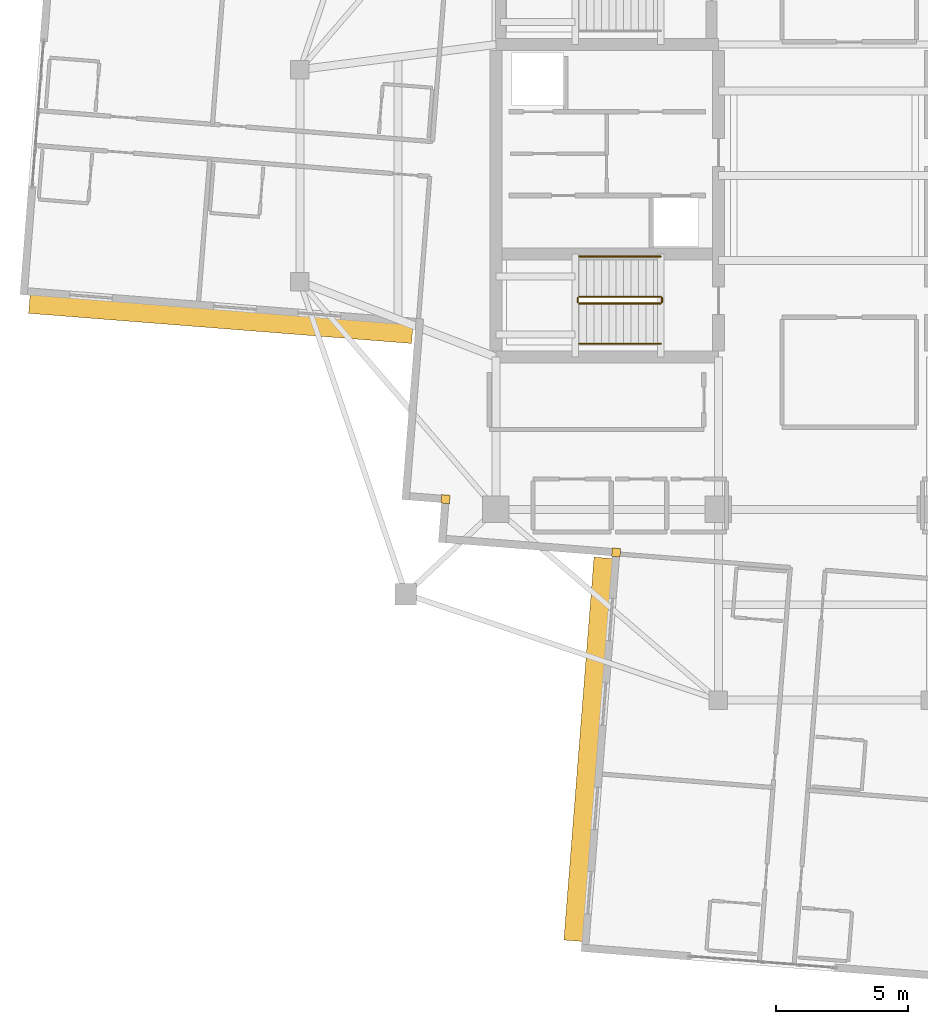
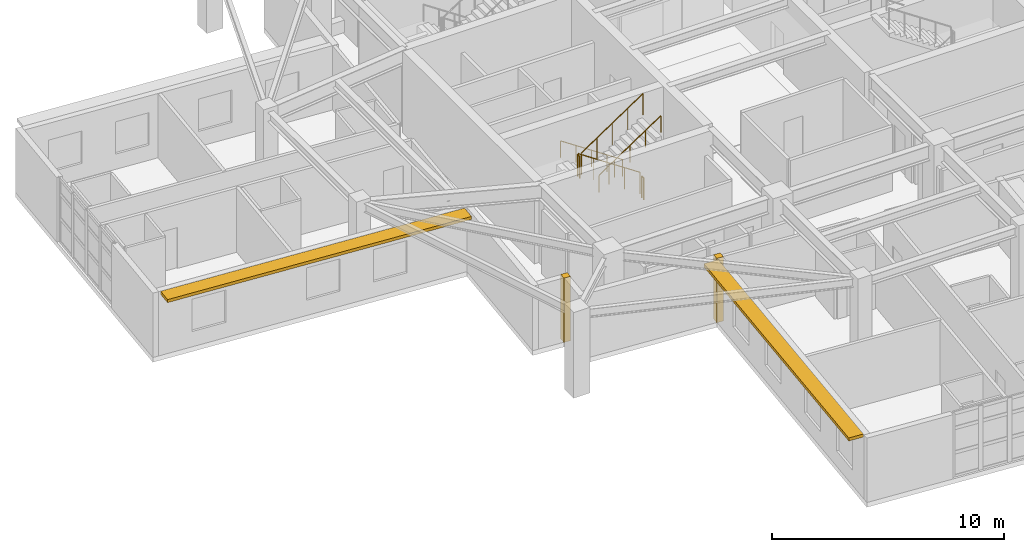
# One storey, part 19 of 23: 6 railings, 2 coverings, 2 shading devices.
"""IFC4 building model written with IfcOpenShell, lengths in metres."""

from ifc_helpers import new_model, si_unit, direction, frame, origin, origin_2d, place, context, subcontext, project, spatial, rectangle, circle, extrude, material, layer, layer_set, type_object, element, save


model = new_model("IFC4")

# Units and contexts
model_context = context("Model", 3, precision=1e-05, world=origin(), true_north=direction((0.0, 1.0)))
body_context = subcontext(model_context, "Body", "Model", "MODEL_VIEW")
ifc_project = project(units=[si_unit("LENGTHUNIT", "METRE"), si_unit("AREAUNIT", "SQUARE_METRE"), si_unit("VOLUMEUNIT", "CUBIC_METRE"), si_unit("PLANEANGLEUNIT", "RADIAN"), si_unit("MASSUNIT", "GRAM", prefix="KILO")], contexts=[model_context])

# Site, building, storey
site_placement = place(None, origin())
site = spatial("IfcSite", under=ifc_project, at=site_placement, CompositionType="ELEMENT")
building_placement = place(site_placement, origin())
building = spatial("IfcBuilding", under=site, at=building_placement, Name="Qingluan Cross Belvedere", CompositionType="ELEMENT")
storey_placement = place(building_placement, frame((0.0, 0.0, 245.39990234375)))
storey = spatial("IfcBuildingStorey", under=building, at=storey_placement, Name="L61", CompositionType="ELEMENT", Elevation=245.39990234375)

# Coverings
ifc_material_1 = material(Name="Precast concrete C45", Category="concrete")
ifc_layer_1 = layer(ifc_material_1, 0.1201171875, Name="ConcreteSpandrelCladding_120")
ifc_layer_set_1 = layer_set([ifc_layer_1], Name="Precast concrete C45")
covering_type = type_object("IfcCoveringType", Name="ConcreteSpandrelCladding_120", PredefinedType="CLADDING", material=ifc_layer_set_1)
for number, where, z_axis, x_axis, name in (
    (1, (-14.302490234375, -12.215576171875, 0.000244140625), (0.0, 0.0, 1.0), (0.996917333733, -0.078459095728, 0.0), "Corner closure L61-SW1"),
    (2, (-7.860595703125, -14.22705078125, 0.000244140625), (0.0, 0.0, 1.0), (0.996917333733, -0.078459095728, 0.0), "Corner closure L61-SW2"),
):
    element("IfcCovering", number, at=place(storey_placement, frame(where, z_axis=z_axis, x_axis=x_axis)), inside=storey, type_object=covering_type, Name=name, PredefinedType="CLADDING", context=body_context, shape_type="SweptSolid", body=[
        extrude(rectangle(XDim=0.320068359375, YDim=0.320068359375, at=origin_2d()), origin(), (0.0, 0.0, 1.0), 3.3798828125),
    ])

# Shading devices
ifc_material_2 = material(Name="Precast concrete C45", Category="concrete")
ifc_layer_2 = layer(ifc_material_2, 0.139892578125, Name="ConcreteSunshadeBand_700")
ifc_layer_set_2 = layer_set([ifc_layer_2], Name="Precast concrete C45")
shading_device_type = type_object("IfcShadingDeviceType", Name="ConcreteSunshadeBand_700", PredefinedType="USERDEFINED", material=ifc_layer_set_2)
for number, where, z_axis, x_axis, name in (
    (3, (-22.785400390625, -5.4189453125, 3.2001953125), (0.0, 0.0, 1.0), (0.996917599256, -0.078455721862, 0.0), "Concrete SUNSHADE L61-WB"),
    (4, (-8.916748046875, -21.6572265625, 3.2001953125), (0.0, 0.0, 1.0), (-0.078455721862, -0.996917599256, 0.0), "Concrete SUNSHADE L61-SA"),
):
    element("IfcShadingDevice", number, at=place(storey_placement, frame(where, z_axis=z_axis, x_axis=x_axis)), inside=storey, type_object=shading_device_type, Name=name, ObjectType="SUNSHADE", PredefinedType="USERDEFINED", context=body_context, shape_type="SweptSolid", body=[
        extrude(rectangle(XDim=14.5, YDim=0.699951171875, at=origin_2d()), origin(), (0.0, 0.0, 1.0), 0.159912109375),
    ])

# Railings
ifc_material_3 = material(Name="Brushed stainless steel tubular handrail", Category="steel")
railing_type_1 = type_object("IfcRailingType", Name="StairPitchHandrail_900", PredefinedType="HANDRAIL", material=ifc_material_3)
railing_1_placement = place(storey_placement, frame((-6.179931640625, -3.050048828125, 0.1875)))
element("IfcRailing", 5, at=railing_1_placement, inside=storey, type_object=railing_type_1, Name="L61 ST1 stair handrail 1", PredefinedType="HANDRAIL", context=body_context, shape_type="SweptSolid", body=[
    extrude(circle(Radius=0.02392578125, at=origin_2d()), frame((0.0, 0.0, 0.8759765625), z_axis=(-0.830913701846, 0.0, 0.55640131208), x_axis=(0.0, -1.0, 0.0)), (0.0, 0.0, 1.0), 3.706787109375),
    extrude(circle(Radius=0.02099609375, at=origin_2d()), origin(), (0.0, 0.0, 1.0), 0.851806640625),
    extrude(circle(Radius=0.02099609375, at=origin_2d()), frame((-0.77001953125, 0.0, 0.515625)), (0.0, 0.0, 1.0), 0.851806640625),
    extrude(circle(Radius=0.02099609375, at=origin_2d()), frame((-1.5400390625, 0.0, 1.03125)), (0.0, 0.0, 1.0), 0.851806640625),
    extrude(circle(Radius=0.02099609375, at=origin_2d()), frame((-2.31005859375, 0.0, 1.546875)), (0.0, 0.0, 1.0), 0.851806640625),
    extrude(circle(Radius=0.02099609375, at=origin_2d()), frame((-3.080078125, 0.0, 2.0625)), (0.0, 0.0, 1.0), 0.851806640625),
])
railing_2_placement = place(storey_placement, frame((-9.260009765625, -6.35009765625, 2.4375)))
element("IfcRailing", 6, at=railing_2_placement, inside=storey, type_object=railing_type_1, Name="L61 ST1 stair handrail 2", PredefinedType="HANDRAIL", context=body_context, shape_type="SweptSolid", body=[
    extrude(circle(Radius=0.02392578125, at=origin_2d()), frame((0.0, 0.0, 0.8759765625), z_axis=(0.830913701846, 0.0, 0.55640131208), x_axis=(0.0, 1.0, 0.0)), (0.0, 0.0, 1.0), 3.706787109375),
    extrude(circle(Radius=0.02099609375, at=origin_2d()), origin(), (0.0, 0.0, 1.0), 0.851806640625),
    extrude(circle(Radius=0.02099609375, at=origin_2d()), frame((0.77001953125, 0.0, 0.515625)), (0.0, 0.0, 1.0), 0.851806640625),
    extrude(circle(Radius=0.02099609375, at=origin_2d()), frame((1.5400390625, 0.0, 1.03125)), (0.0, 0.0, 1.0), 0.851806640625),
    extrude(circle(Radius=0.02099609375, at=origin_2d()), frame((2.31005859375, 0.0, 1.546875)), (0.0, 0.0, 1.0), 0.851806640625),
    extrude(circle(Radius=0.02099609375, at=origin_2d()), frame((3.080078125, 0.0, 2.0625)), (0.0, 0.0, 1.0), 0.851806640625),
])
ifc_material_4 = material(Name="Painted steel stair well guard", Category="steel")
railing_type_2 = type_object("IfcRailingType", Name="StairWellGuard_1150", PredefinedType="BALUSTRADE", material=ifc_material_4)
railing_3_placement = place(storey_placement, frame((-6.179931640625, -4.570068359375, 0.1875)))
element("IfcRailing", 7, at=railing_3_placement, inside=storey, type_object=railing_type_2, Name="L61 ST1 stair guard 1", PredefinedType="BALUSTRADE", context=body_context, shape_type="SweptSolid", body=[
    extrude(circle(Radius=0.02392578125, at=origin_2d()), frame((0.0, 0.0, 1.1259765625), z_axis=(-0.830913701846, 0.0, 0.55640131208), x_axis=(0.0, -1.0, 0.0)), (0.0, 0.0, 1.0), 3.706787109375),
    extrude(circle(Radius=0.02099609375, at=origin_2d()), origin(), (0.0, 0.0, 1.0), 1.101806640625),
    extrude(circle(Radius=0.02099609375, at=origin_2d()), frame((-0.77001953125, 0.0, 0.515625)), (0.0, 0.0, 1.0), 1.101806640625),
    extrude(circle(Radius=0.02099609375, at=origin_2d()), frame((-1.5400390625, 0.0, 1.03125)), (0.0, 0.0, 1.0), 1.101806640625),
    extrude(circle(Radius=0.02099609375, at=origin_2d()), frame((-2.31005859375, 0.0, 1.546875)), (0.0, 0.0, 1.0), 1.101806640625),
    extrude(circle(Radius=0.02099609375, at=origin_2d()), frame((-3.080078125, 0.0, 2.0625)), (0.0, 0.0, 1.0), 1.101806640625),
])
railing_4_placement = place(storey_placement, frame((-9.31005859375, -4.6201171875, 2.25)))
element("IfcRailing", 8, at=railing_4_placement, inside=storey, type_object=railing_type_2, Name="L61 ST1 stair guard 2", PredefinedType="BALUSTRADE", context=body_context, shape_type="SweptSolid", body=[
    extrude(circle(Radius=0.02392578125, at=origin_2d()), frame((0.0, 0.0, 1.1259765625), z_axis=(0.0, -1.0, 0.0), x_axis=(1.0, 0.0, 0.0)), (0.0, 0.0, 1.0), 0.159912109375),
    extrude(circle(Radius=0.02099609375, at=origin_2d()), origin(), (0.0, 0.0, 1.0), 1.101806640625),
    extrude(circle(Radius=0.02099609375, at=origin_2d()), frame((0.0, -0.159912109375, 0.0)), (0.0, 0.0, 1.0), 1.101806640625),
])
railing_5_placement = place(storey_placement, frame((-9.260009765625, -4.830078125, 2.4375)))
element("IfcRailing", 9, at=railing_5_placement, inside=storey, type_object=railing_type_2, Name="L61 ST1 stair guard 3", PredefinedType="BALUSTRADE", context=body_context, shape_type="SweptSolid", body=[
    extrude(circle(Radius=0.02392578125, at=origin_2d()), frame((0.0, 0.0, 1.1259765625), z_axis=(0.830913701846, 0.0, 0.55640131208), x_axis=(0.0, 1.0, 0.0)), (0.0, 0.0, 1.0), 3.706787109375),
    extrude(circle(Radius=0.02099609375, at=origin_2d()), origin(), (0.0, 0.0, 1.0), 1.101806640625),
    extrude(circle(Radius=0.02099609375, at=origin_2d()), frame((0.77001953125, 0.0, 0.515625)), (0.0, 0.0, 1.0), 1.101806640625),
    extrude(circle(Radius=0.02099609375, at=origin_2d()), frame((1.5400390625, 0.0, 1.03125)), (0.0, 0.0, 1.0), 1.101806640625),
    extrude(circle(Radius=0.02099609375, at=origin_2d()), frame((2.31005859375, 0.0, 1.546875)), (0.0, 0.0, 1.0), 1.101806640625),
    extrude(circle(Radius=0.02099609375, at=origin_2d()), frame((3.080078125, 0.0, 2.0625)), (0.0, 0.0, 1.0), 1.101806640625),
])
railing_6_placement = place(storey_placement, frame((-6.1298828125, -4.6201171875, 0.0)))
element("IfcRailing", 10, at=railing_6_placement, inside=storey, type_object=railing_type_2, Name="L61 ST1 stair guard 4", PredefinedType="BALUSTRADE", context=body_context, shape_type="SweptSolid", body=[
    extrude(circle(Radius=0.02392578125, at=origin_2d()), frame((0.0, 0.0, 1.1259765625), z_axis=(0.0, -1.0, 0.0), x_axis=(1.0, 0.0, 0.0)), (0.0, 0.0, 1.0), 0.159912109375),
    extrude(circle(Radius=0.02099609375, at=origin_2d()), origin(), (0.0, 0.0, 1.0), 1.101806640625),
    extrude(circle(Radius=0.02099609375, at=origin_2d()), frame((0.0, -0.159912109375, 0.0)), (0.0, 0.0, 1.0), 1.101806640625),
])

save(model, "model.ifc")
